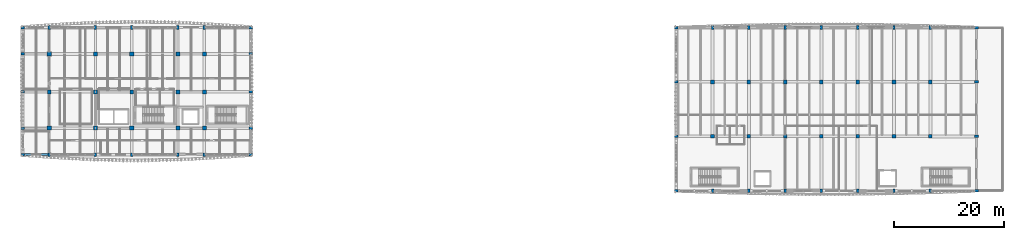
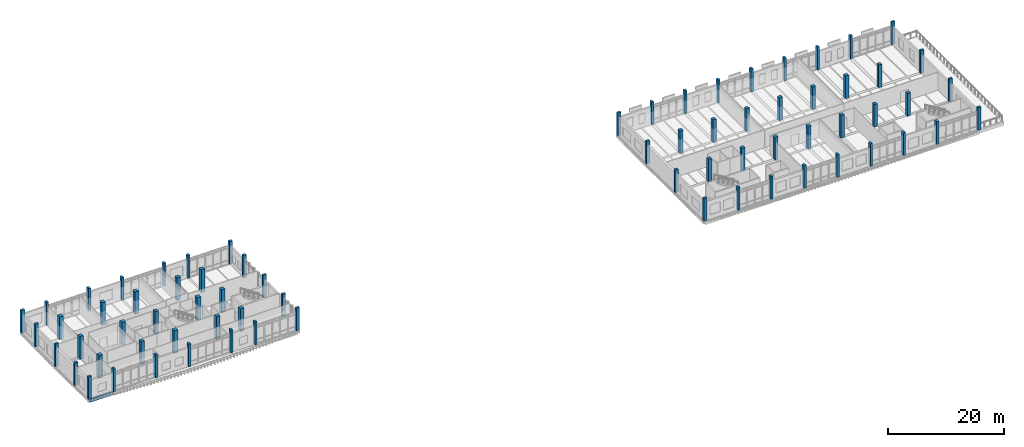
# One storey, part 1 of 39: 71 columns, 1 beam.
"""IFC4 building model written with IfcOpenShell, lengths in metres."""

from ifc_helpers import new_model, si_unit, direction, frame, origin, origin_2d, place, context, subcontext, project, spatial, rectangle, extrude, material, material_profile, profile_set, type_object, element, save


model = new_model("IFC4")

# Units and contexts
model_context = context("Model", 3, precision=1e-05, world=origin(), true_north=direction((0.0, 1.0)))
body_context = subcontext(model_context, "Body", "Model", "MODEL_VIEW")
ifc_project = project(units=[si_unit("LENGTHUNIT", "METRE"), si_unit("AREAUNIT", "SQUARE_METRE"), si_unit("VOLUMEUNIT", "CUBIC_METRE"), si_unit("PLANEANGLEUNIT", "RADIAN"), si_unit("MASSUNIT", "GRAM", prefix="KILO")], contexts=[model_context])

# Site, building, storey
site_placement = place(None, origin())
site = spatial("IfcSite", under=ifc_project, at=site_placement, CompositionType="ELEMENT")
building_placement = place(site_placement, origin())
building = spatial("IfcBuilding", under=site, at=building_placement, Name="Dornvale Research Institute", CompositionType="ELEMENT")
storey_placement = place(building_placement, frame((0.0, 0.0, 24.60009765625)))
storey = spatial("IfcBuildingStorey", under=building, at=storey_placement, Name="L05", CompositionType="ELEMENT", Elevation=24.60009765625)

# Columns
ifc_material_1 = material(Name="Concrete f'c 45 MPa (C35/45)", Category="concrete")
ifc_material_profile_1 = material_profile(ifc_material_1, rectangle(XDim=0.64990234375, YDim=0.64990234375, at=origin_2d()), Name="RC 650x650")
ifc_profile_set_1 = profile_set([ifc_material_profile_1], Name="Concrete f'c 45 MPa (C35/45)")
column_type_1 = type_object("IfcColumnType", Name="Column_RC650", PredefinedType="COLUMN", material=ifc_profile_set_1)
for number, where, z_axis, x_axis, name in (
    (1, (125.39990234375, 102.300048828125, 0.0), (0.0, 0.0, 1.0), (1.0, 0.0, 0.0), "L05 column #659"),
    (2, (125.39990234375, 112.199951171875, 0.0), (0.0, 0.0, 1.0), (1.0, 0.0, 0.0), "L05 column #660"),
    (3, (132.0, 102.300048828125, 0.0), (0.0, 0.0, 1.0), (1.0, 0.0, 0.0), "L05 column #663"),
    (4, (132.0, 112.199951171875, 0.0), (0.0, 0.0, 1.0), (1.0, 0.0, 0.0), "L05 column #664"),
    (5, (138.60009765625, 102.300048828125, 0.0), (0.0, 0.0, 1.0), (1.0, 0.0, 0.0), "L05 column #667"),
    (6, (138.60009765625, 112.199951171875, 0.0), (0.0, 0.0, 1.0), (1.0, 0.0, 0.0), "L05 column #668"),
    (7, (145.199951171875, 102.300048828125, 0.0), (0.0, 0.0, 1.0), (1.0, 0.0, 0.0), "L05 column #671"),
    (8, (145.199951171875, 112.199951171875, 0.0), (0.0, 0.0, 1.0), (1.0, 0.0, 0.0), "L05 column #672"),
    (9, (151.800048828125, 102.300048828125, 0.0), (0.0, 0.0, 1.0), (1.0, 0.0, 0.0), "L05 column #675"),
    (10, (151.800048828125, 112.199951171875, 0.0), (0.0, 0.0, 1.0), (1.0, 0.0, 0.0), "L05 column #676"),
    (11, (158.39990234375, 102.300048828125, 0.0), (0.0, 0.0, 1.0), (1.0, 0.0, 0.0), "L05 column #679"),
    (12, (158.39990234375, 112.199951171875, 0.0), (0.0, 0.0, 1.0), (1.0, 0.0, 0.0), "L05 column #680"),
    (13, (165.0, 102.300048828125, 0.0), (0.0, 0.0, 1.0), (1.0, 0.0, 0.0), "L05 column #683"),
    (14, (165.0, 112.199951171875, 0.0), (0.0, 0.0, 1.0), (1.0, 0.0, 0.0), "L05 column #684"),
):
    element("IfcColumn", number, at=place(storey_placement, frame(where, z_axis=z_axis, x_axis=x_axis)), inside=storey, type_object=column_type_1, Name=name, PredefinedType="COLUMN", context=body_context, shape_type="SweptSolid", body=[
        extrude(rectangle(XDim=0.64990234375, YDim=0.64990234375, at=origin_2d()), origin(), (0.0, 0.0, 1.0), 4.7998046875),
    ])
ifc_material_2 = material(Name="Concrete f'c 45 MPa (C35/45)", Category="concrete")
ifc_material_profile_2 = material_profile(ifc_material_2, rectangle(XDim=0.699951171875, YDim=0.699951171875, at=origin_2d()), Name="RC 700x700")
ifc_profile_set_2 = profile_set([ifc_material_profile_2], Name="Concrete f'c 45 MPa (C35/45)")
column_type_2 = type_object("IfcColumnType", Name="Column_RC700", PredefinedType="COLUMN", material=ifc_profile_set_2)
for number, where, z_axis, x_axis, name in (
    (15, (4.800048828125, 110.39990234375, 0.0), (0.0, 0.0, 1.0), (1.0, 0.0, 0.0), "L05 column #243"),
    (16, (13.199951171875, 103.800048828125, 0.0), (0.0, 0.0, 1.0), (1.0, 0.0, 0.0), "L05 column #247"),
    (17, (13.199951171875, 117.300048828125, 0.0), (0.0, 0.0, 1.0), (1.0, 0.0, 0.0), "L05 column #249"),
    (18, (19.800048828125, 110.39990234375, 0.0), (0.0, 0.0, 1.0), (1.0, 0.0, 0.0), "L05 column #253"),
    (19, (28.199951171875, 103.800048828125, 0.0), (0.0, 0.0, 1.0), (1.0, 0.0, 0.0), "L05 column #257"),
    (20, (28.199951171875, 117.300048828125, 0.0), (0.0, 0.0, 1.0), (1.0, 0.0, 0.0), "L05 column #259"),
    (21, (33.0, 110.39990234375, 0.0), (0.0, 0.0, 1.0), (1.0, 0.0, 0.0), "L05 column #263"),
):
    element("IfcColumn", number, at=place(storey_placement, frame(where, z_axis=z_axis, x_axis=x_axis)), inside=storey, type_object=column_type_2, Name=name, PredefinedType="COLUMN", context=body_context, shape_type="SweptSolid", body=[
        extrude(rectangle(XDim=0.699951171875, YDim=0.699951171875, at=origin_2d()), origin(), (0.0, 0.0, 1.0), 4.7998046875),
    ])
ifc_material_3 = material(Name="Concrete f'c 50 MPa (C40/50)", Category="concrete")
ifc_material_profile_3 = material_profile(ifc_material_3, rectangle(XDim=0.75, YDim=0.75, at=origin_2d()), Name="RC 750x750")
ifc_profile_set_3 = profile_set([ifc_material_profile_3], Name="Concrete f'c 50 MPa (C40/50)")
column_type_3 = type_object("IfcColumnType", Name="Column_RC750", PredefinedType="COLUMN", material=ifc_profile_set_3)
for number, where, z_axis, x_axis, name in (
    (22, (4.800048828125, 103.800048828125, 0.0), (0.0, 0.0, 1.0), (1.0, 0.0, 0.0), "L05 column #242"),
    (23, (4.800048828125, 117.300048828125, 0.0), (0.0, 0.0, 1.0), (1.0, 0.0, 0.0), "L05 column #244"),
    (24, (13.199951171875, 110.39990234375, 0.0), (0.0, 0.0, 1.0), (1.0, 0.0, 0.0), "L05 column #248"),
    (25, (19.800048828125, 103.800048828125, 0.0), (0.0, 0.0, 1.0), (1.0, 0.0, 0.0), "L05 column #252"),
    (26, (19.800048828125, 117.300048828125, 0.0), (0.0, 0.0, 1.0), (1.0, 0.0, 0.0), "L05 column #254"),
    (27, (28.199951171875, 110.39990234375, 0.0), (0.0, 0.0, 1.0), (1.0, 0.0, 0.0), "L05 column #258"),
    (28, (33.0, 103.800048828125, 0.0), (0.0, 0.0, 1.0), (1.0, 0.0, 0.0), "L05 column #262"),
    (29, (33.0, 117.300048828125, 0.0), (0.0, 0.0, 1.0), (1.0, 0.0, 0.0), "L05 column #264"),
):
    element("IfcColumn", number, at=place(storey_placement, frame(where, z_axis=z_axis, x_axis=x_axis)), inside=storey, type_object=column_type_3, Name=name, PredefinedType="COLUMN", context=body_context, shape_type="SweptSolid", body=[
        extrude(rectangle(XDim=0.75, YDim=0.75, at=origin_2d()), origin(), (0.0, 0.0, 1.0), 4.7998046875),
    ])
ifc_material_4 = material(Name="Concrete f'c 45 MPa (C35/45)", Category="concrete")
ifc_material_profile_4 = material_profile(ifc_material_4, rectangle(XDim=0.449951171875, YDim=0.64990234375, at=origin_2d()), Name="RC 450x650")
ifc_profile_set_4 = profile_set([ifc_material_profile_4], Name="Concrete f'c 45 MPa (C35/45)")
column_type_4 = type_object("IfcColumnType", Name="Pilaster_RC450x650_Ext", PredefinedType="PILASTER", material=ifc_profile_set_4)
for number, where, z_axis, x_axis, name in (
    (30, (0.0, 99.0, 0.0), (0.0, 0.0, 1.0), (0.0, 1.0, 0.0), "L05 column #236"),
    (31, (0.0, 103.800048828125, 0.0), (0.0, 0.0, 1.0), (0.0, 1.0, 0.0), "L05 column #237"),
    (32, (0.0, 110.39990234375, 0.0), (0.0, 0.0, 1.0), (0.0, 1.0, 0.0), "L05 column #238"),
    (33, (0.0, 117.300048828125, 0.0), (0.0, 0.0, 1.0), (0.0, 1.0, 0.0), "L05 column #239"),
    (34, (0.0, 122.10009765625, 0.0), (0.0, 0.0, 1.0), (0.0, 1.0, 0.0), "L05 column #240"),
    (35, (4.800048828125, 99.0, 0.0), (0.0, 0.0, 1.0), (1.0, 0.0, 0.0), "L05 column #241"),
    (36, (4.800048828125, 122.10009765625, 0.0), (0.0, 0.0, 1.0), (1.0, 0.0, 0.0), "L05 column #245"),
    (37, (13.199951171875, 99.0, 0.0), (0.0, 0.0, 1.0), (1.0, 0.0, 0.0), "L05 column #246"),
    (38, (13.199951171875, 122.10009765625, 0.0), (0.0, 0.0, 1.0), (1.0, 0.0, 0.0), "L05 column #250"),
    (39, (19.800048828125, 99.0, 0.0), (0.0, 0.0, 1.0), (1.0, 0.0, 0.0), "L05 column #251"),
    (40, (19.800048828125, 122.10009765625, 0.0), (0.0, 0.0, 1.0), (1.0, 0.0, 0.0), "L05 column #255"),
    (41, (28.199951171875, 99.0, 0.0), (0.0, 0.0, 1.0), (1.0, 0.0, 0.0), "L05 column #256"),
    (42, (28.199951171875, 122.10009765625, 0.0), (0.0, 0.0, 1.0), (1.0, 0.0, 0.0), "L05 column #260"),
    (43, (33.0, 99.0, 0.0), (0.0, 0.0, 1.0), (1.0, 0.0, 0.0), "L05 column #261"),
    (44, (33.0, 122.10009765625, 0.0), (0.0, 0.0, 1.0), (1.0, 0.0, 0.0), "L05 column #265"),
    (45, (41.39990234375, 99.0, 0.0), (0.0, 0.0, 1.0), (0.0, 1.0, 0.0), "L05 column #266"),
    (46, (41.39990234375, 103.800048828125, 0.0), (0.0, 0.0, 1.0), (0.0, 1.0, 0.0), "L05 column #267"),
    (47, (41.39990234375, 110.39990234375, 0.0), (0.0, 0.0, 1.0), (0.0, 1.0, 0.0), "L05 column #268"),
    (48, (41.39990234375, 117.300048828125, 0.0), (0.0, 0.0, 1.0), (0.0, 1.0, 0.0), "L05 column #269"),
    (49, (41.39990234375, 122.10009765625, 0.0), (0.0, 0.0, 1.0), (0.0, 1.0, 0.0), "L05 column #270"),
    (50, (118.800048828125, 92.39990234375, 0.0), (0.0, 0.0, 1.0), (0.0, 1.0, 0.0), "L05 column #654"),
    (51, (118.800048828125, 102.300048828125, 0.0), (0.0, 0.0, 1.0), (0.0, 1.0, 0.0), "L05 column #655"),
    (52, (118.800048828125, 112.199951171875, 0.0), (0.0, 0.0, 1.0), (0.0, 1.0, 0.0), "L05 column #656"),
    (53, (118.800048828125, 122.10009765625, 0.0), (0.0, 0.0, 1.0), (0.0, 1.0, 0.0), "L05 column #657"),
    (54, (125.39990234375, 92.39990234375, 0.0), (0.0, 0.0, 1.0), (1.0, 0.0, 0.0), "L05 column #658"),
    (55, (125.39990234375, 122.10009765625, 0.0), (0.0, 0.0, 1.0), (1.0, 0.0, 0.0), "L05 column #661"),
    (56, (132.0, 92.39990234375, 0.0), (0.0, 0.0, 1.0), (1.0, 0.0, 0.0), "L05 column #662"),
    (57, (132.0, 122.10009765625, 0.0), (0.0, 0.0, 1.0), (1.0, 0.0, 0.0), "L05 column #665"),
    (58, (138.60009765625, 92.39990234375, 0.0), (0.0, 0.0, 1.0), (1.0, 0.0, 0.0), "L05 column #666"),
    (59, (138.60009765625, 122.10009765625, 0.0), (0.0, 0.0, 1.0), (1.0, 0.0, 0.0), "L05 column #669"),
    (60, (145.199951171875, 92.39990234375, 0.0), (0.0, 0.0, 1.0), (1.0, 0.0, 0.0), "L05 column #670"),
    (61, (145.199951171875, 122.10009765625, 0.0), (0.0, 0.0, 1.0), (1.0, 0.0, 0.0), "L05 column #673"),
    (62, (151.800048828125, 92.39990234375, 0.0), (0.0, 0.0, 1.0), (1.0, 0.0, 0.0), "L05 column #674"),
    (63, (151.800048828125, 122.10009765625, 0.0), (0.0, 0.0, 1.0), (1.0, 0.0, 0.0), "L05 column #677"),
    (64, (158.39990234375, 92.39990234375, 0.0), (0.0, 0.0, 1.0), (1.0, 0.0, 0.0), "L05 column #678"),
    (65, (158.39990234375, 122.10009765625, 0.0), (0.0, 0.0, 1.0), (1.0, 0.0, 0.0), "L05 column #681"),
    (66, (165.0, 92.39990234375, 0.0), (0.0, 0.0, 1.0), (1.0, 0.0, 0.0), "L05 column #682"),
    (67, (165.0, 122.10009765625, 0.0), (0.0, 0.0, 1.0), (1.0, 0.0, 0.0), "L05 column #685"),
    (68, (173.39990234375, 92.39990234375, 0.0), (0.0, 0.0, 1.0), (0.0, 1.0, 0.0), "L05 column #686"),
    (69, (173.39990234375, 102.300048828125, 0.0), (0.0, 0.0, 1.0), (0.0, 1.0, 0.0), "L05 column #687"),
    (70, (173.39990234375, 112.199951171875, 0.0), (0.0, 0.0, 1.0), (0.0, 1.0, 0.0), "L05 column #688"),
    (71, (173.39990234375, 122.10009765625, 0.0), (0.0, 0.0, 1.0), (0.0, 1.0, 0.0), "L05 column #689"),
):
    element("IfcColumn", number, at=place(storey_placement, frame(where, z_axis=z_axis, x_axis=x_axis)), inside=storey, type_object=column_type_4, Name=name, PredefinedType="PILASTER", context=body_context, shape_type="SweptSolid", body=[
        extrude(rectangle(XDim=0.449951171875, YDim=0.64990234375, at=origin_2d()), origin(), (0.0, 0.0, 1.0), 4.7998046875),
    ])

# Beam
ifc_material_5 = material(Name="Concrete f'c 45 MPa (C35/45)", Category="concrete")
ifc_material_profile_5 = material_profile(ifc_material_5, rectangle(XDim=0.39990234375, YDim=0.699951171875, at=origin_2d()), Name="RC 400x700")
ifc_profile_set_5 = profile_set([ifc_material_profile_5], Name="Concrete f'c 45 MPa (C35/45)")
beam_type = type_object("IfcBeamType", Name="Spandrel_RC400x700_Ext", PredefinedType="SPANDREL", material=ifc_profile_set_5)
beam_placement = place(storey_placement, frame((0.0, 99.0, -0.35009765625), z_axis=(1.0, 0.0, 0.0), x_axis=(0.0, 1.0, 0.0)))
element("IfcBeam", 72, at=beam_placement, inside=storey, type_object=beam_type, Name="L05 perimeter spandrel #1323", PredefinedType="SPANDREL", context=body_context, shape_type="SweptSolid", body=[
    extrude(rectangle(XDim=0.39990234375, YDim=0.699951171875, at=origin_2d()), origin(), (0.0, 0.0, 1.0), 4.800048828125),
])

save(model, "model.ifc")
